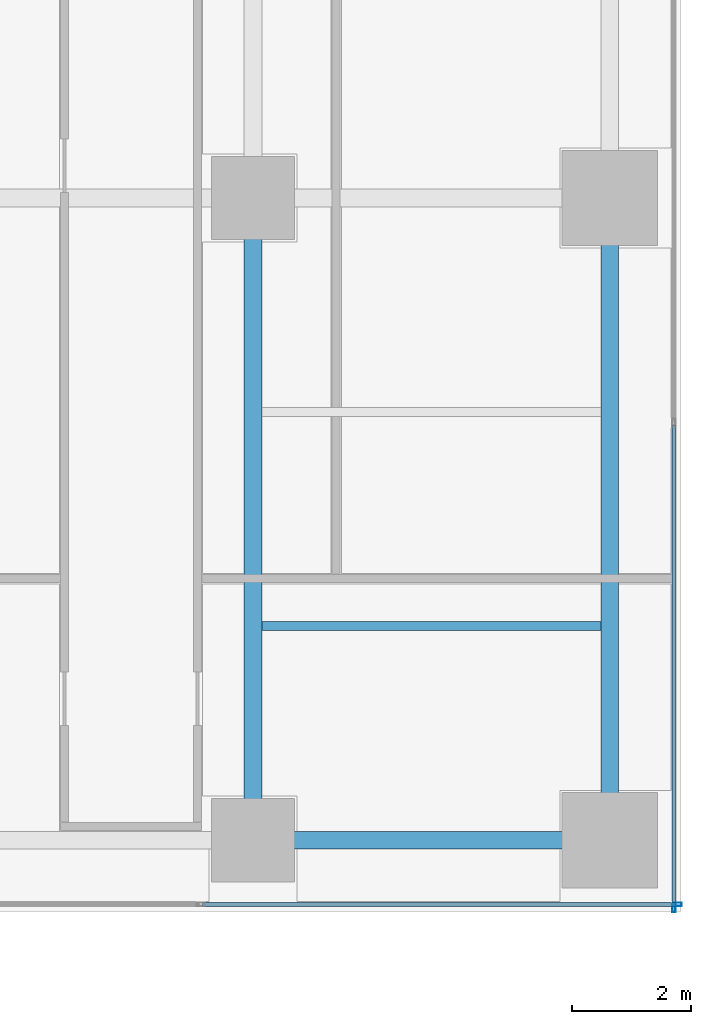
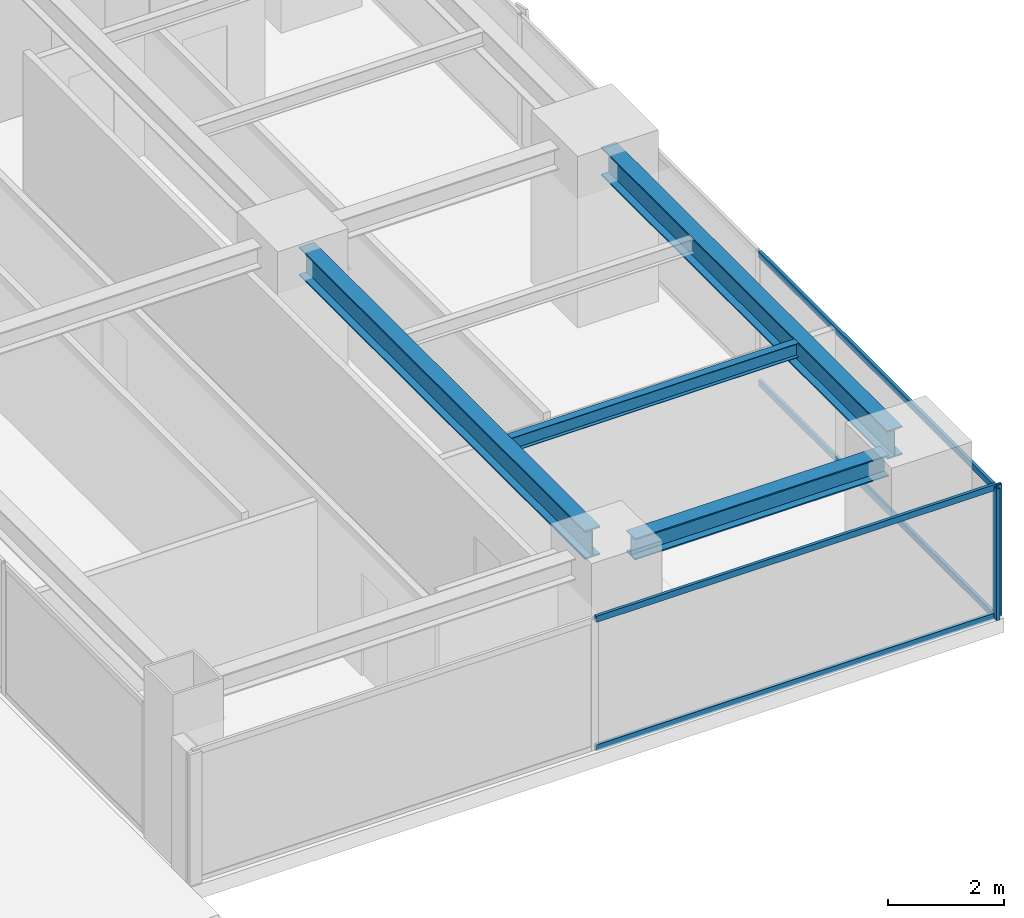
# One storey, part 13 of 30: 6 members, 4 beams, 2 elements without a shape of their own.
"""IFC4 building model written with IfcOpenShell, lengths in metres."""

import ifcopenshell
import ifcopenshell.guid

model = None  # the IFC model being written
_history = None  # IfcOwnerHistory: only IFC2X3 demands one
_inside = {}  # id of a spatial element -> (the spatial element, [elements in it])
_under = {}  # id of a project, library or spatial element -> (it, [spatial elements below it])
_declared = {}  # id of a project -> (the project, [libraries it declares])
_typed = {}  # id of a type object -> (the type object, [elements of that type])
_made_of = {}  # id of a material, layer set ... -> (it, [elements and type objects made of it])


def new_model(schema):
    """Start an empty IFC model of exactly this schema.

    Asked for "IFC4X3", IfcOpenShell would pick the latest addendum, in which some entities
    have other attributes; the version numbers below select the first issue.
    IFC2X3 requires an IfcOwnerHistory on every rooted entity: one is made here for all.
    """
    global model, _history
    if schema == "IFC4X3":
        model = ifcopenshell.file(schema_version=(4, 3, 0, 0))
    else:
        model = ifcopenshell.file(schema=schema)
    _inside.clear()
    _under.clear()
    _declared.clear()
    _typed.clear()
    _made_of.clear()
    _history = None
    if model.schema == "IFC2X3":
        org = make("IfcOrganization", Name="unknown")
        user = make(
            "IfcPersonAndOrganization",
            ThePerson=make("IfcPerson", FamilyName="unknown"),
            TheOrganization=org,
        )
        app = make(
            "IfcApplication",
            ApplicationDeveloper=org,
            Version="unknown",
            ApplicationFullName="unknown",
            ApplicationIdentifier="unknown",
        )
        _history = make(
            "IfcOwnerHistory",
            OwningUser=user,
            OwningApplication=app,
            ChangeAction="ADDED",
            CreationDate=0,
        )
    return model


def make(cls, **values):
    """One entity of the class cls with the attributes given. An attribute that is None is left unset."""
    return model.create_entity(
        cls, **{name: value for name, value in values.items() if value is not None}
    )


def rooted(cls, **values):
    """An entity with a GlobalId (a new one), such as an element, a storey or a relation."""
    return make(cls, GlobalId=ifcopenshell.guid.new(), OwnerHistory=_history, **values)


def si_unit(unit_type, name, prefix=None):
    """IfcSIUnit, for example si_unit("LENGTHUNIT", "METRE", prefix="MILLI")."""
    return make("IfcSIUnit", UnitType=unit_type, Prefix=prefix, Name=name)


def assignment(units):
    """IfcUnitAssignment: the units of a project."""
    return None if units is None else make("IfcUnitAssignment", Units=units)


def point(xyz):
    """IfcCartesianPoint."""
    return None if xyz is None else make("IfcCartesianPoint", Coordinates=xyz)


def direction(xyz):
    """IfcDirection."""
    return None if xyz is None else make("IfcDirection", DirectionRatios=xyz)


def frame(location, z_axis=None, x_axis=None):
    """IfcAxis2Placement3D, a coordinate frame: its origin and axes. An axis left out is left unset."""
    return make(
        "IfcAxis2Placement3D",
        Location=point(location),
        Axis=direction(z_axis),
        RefDirection=direction(x_axis),
    )


def frame_2d(location, x_axis=None):
    """IfcAxis2Placement2D, a coordinate frame in the plane: its origin and x axis."""
    return make(
        "IfcAxis2Placement2D", Location=point(location), RefDirection=direction(x_axis)
    )


def origin():
    """The frame at (0, 0, 0) with its axes left unset."""
    return frame((0.0, 0.0, 0.0))


def origin_2d():
    """The frame at (0, 0) in the plane with its x axis left unset."""
    return frame_2d((0.0, 0.0))


def place(relative_to, where):
    """IfcLocalPlacement: puts the frame where relative to a parent placement (None: the world)."""
    return make(
        "IfcLocalPlacement", PlacementRelTo=relative_to, RelativePlacement=where
    )


def context(
    kind, dimensions, precision=None, world=None, true_north=None, identifier=None
):
    """IfcGeometricRepresentationContext, for example the 3D "Model" context."""
    return make(
        "IfcGeometricRepresentationContext",
        ContextIdentifier=identifier,
        ContextType=kind,
        CoordinateSpaceDimension=dimensions,
        Precision=precision,
        WorldCoordinateSystem=world,
        TrueNorth=true_north,
    )


def subcontext(parent, identifier, kind, view, scale=None):
    """IfcGeometricRepresentationSubContext, for example "Body" below "Model"."""
    return make(
        "IfcGeometricRepresentationSubContext",
        ContextIdentifier=identifier,
        ContextType=kind,
        ParentContext=parent,
        TargetScale=scale,
        TargetView=view,
    )


def project(units=None, contexts=None):
    """IfcProject with its units and contexts."""
    return rooted(
        "IfcProject",
        Name="project",
        RepresentationContexts=contexts,
        UnitsInContext=assignment(units),
    )


def spatial(cls, under=None, at=None, **own):
    """A site, building, storey or space (cls), placed at a placement, below another one or the project."""
    s = rooted(cls, ObjectPlacement=at, **own)
    if under is not None:
        _under.setdefault(under.id(), (under, []))[1].append(s)
    return s


def profile(cls, at=None, kind="AREA", **sizes):
    """A parametric profile (cls). Its sizes go by their IFC names, for example OverallWidth=200.0."""
    return make(cls, ProfileType=kind, Position=at, **sizes)


def hollow_rectangle(**sizes):
    """IfcRectangleHollowProfileDef."""
    return profile("IfcRectangleHollowProfileDef", **sizes)


def i_section(**sizes):
    """IfcIShapeProfileDef."""
    return profile("IfcIShapeProfileDef", **sizes)


def extrude(swept, where, along, depth):
    """IfcExtrudedAreaSolid: the profile swept, set in the frame where, extruded along a direction by depth."""
    return make(
        "IfcExtrudedAreaSolid",
        SweptArea=swept,
        Position=where,
        ExtrudedDirection=direction(along),
        Depth=depth,
    )


def shape(context_of_items, identifier, shape_type, items):
    """IfcShapeRepresentation: the items that make up one representation, for example the "Body"."""
    return make(
        "IfcShapeRepresentation",
        ContextOfItems=context_of_items,
        RepresentationIdentifier=identifier,
        RepresentationType=shape_type,
        Items=items,
    )


def source(mapping_origin, context_of_items, identifier, shape_type, items):
    """IfcRepresentationMap: a shape defined once, which mapped items show again and again."""
    return make(
        "IfcRepresentationMap",
        MappingOrigin=mapping_origin,
        MappedRepresentation=shape(context_of_items, identifier, shape_type, items),
    )


def transform(
    local_origin,
    x_axis=None,
    y_axis=None,
    z_axis=None,
    scale=None,
    scale2=None,
    scale3=None,
    uniform=True,
):
    """IfcCartesianTransformationOperator3D, or its non-uniform kind. x_axis, y_axis, z_axis: its Axis1, 2, 3."""
    if uniform:
        return make(
            "IfcCartesianTransformationOperator3D",
            Axis1=direction(x_axis),
            Axis2=direction(y_axis),
            LocalOrigin=point(local_origin),
            Scale=scale,
            Axis3=direction(z_axis),
        )
    return make(
        "IfcCartesianTransformationOperator3DnonUniform",
        Axis1=direction(x_axis),
        Axis2=direction(y_axis),
        LocalOrigin=point(local_origin),
        Scale=scale,
        Axis3=direction(z_axis),
        Scale2=scale2,
        Scale3=scale3,
    )


def mapped(mapping_source, mapping_target):
    """IfcMappedItem: shows the shape of a source again, moved by a transform."""
    return make(
        "IfcMappedItem", MappingSource=mapping_source, MappingTarget=mapping_target
    )


def material(Name=None, Category=None):
    """IfcMaterial."""
    return make("IfcMaterial", Name=Name, Category=Category)


def layer(
    of_material, thickness, ventilated=None, Name=None, Category=None, Priority=None
):
    """IfcMaterialLayer: one layer of a wall or slab, of a material (None: an air gap)."""
    return make(
        "IfcMaterialLayer",
        Material=of_material,
        LayerThickness=thickness,
        IsVentilated=ventilated,
        Name=Name,
        Category=Category,
        Priority=Priority,
    )


def layer_set(layers, Name=None):
    """IfcMaterialLayerSet."""
    return make("IfcMaterialLayerSet", MaterialLayers=layers, LayerSetName=Name)


def material_profile(
    of_material, cross_section, Name=None, Category=None, Priority=None
):
    """IfcMaterialProfile: a cross section and its material."""
    return make(
        "IfcMaterialProfile",
        Name=Name,
        Material=of_material,
        Profile=cross_section,
        Priority=Priority,
        Category=Category,
    )


def profile_set(profiles, Name=None, composite=None):
    """IfcMaterialProfileSet."""
    return make(
        "IfcMaterialProfileSet",
        Name=Name,
        MaterialProfiles=profiles,
        CompositeProfile=composite,
    )


def made_of(thing, what):
    """Note that an element or type object is made of a material, layer set ...; save() writes the relation."""
    if what is not None:
        _made_of.setdefault(what.id(), (what, []))[1].append(thing)
    return thing


def type_object(cls, material=None, **own):
    """A type object (cls), such as IfcWallType, which elements share."""
    return made_of(rooted(cls, **own), material)


def element(
    cls,
    number,
    at=None,
    inside=None,
    cuts=None,
    type_object=None,
    material=None,
    context=None,
    identifier="Body",
    shape_type=None,
    held_by="IfcProductDefinitionShape",
    body=None,
    shapes=None,
    **own,
):
    """One element of the class cls, such as IfcWall. Its Tag is "e" and its number.

    at: its placement. inside: the storey or other place that contains it. cuts: it is an
    opening in that element (IfcRelVoidsElement). A single representation is given by context,
    identifier, shape_type and body (its items); several are given by shapes. held_by: the class
    of the entity that holds the representations. save() writes the other relations.
    """
    e = rooted(cls, Tag="e%d" % number, ObjectPlacement=at, **own)
    if body is not None:
        shapes = [shape(context, identifier, shape_type, body)]
    if shapes is not None:
        e.Representation = make(held_by, Representations=shapes)
    if inside is not None:
        _inside.setdefault(inside.id(), (inside, []))[1].append(e)
    if cuts is not None:
        rooted(
            "IfcRelVoidsElement", RelatingBuildingElement=cuts, RelatedOpeningElement=e
        )
    if type_object is not None:
        _typed.setdefault(type_object.id(), (type_object, []))[1].append(e)
    return made_of(e, material)


def aggregate(whole, parts):
    """IfcRelAggregates: a whole, such as a stair, and the parts it consists of."""
    return rooted("IfcRelAggregates", RelatingObject=whole, RelatedObjects=parts)


def save(model, path):
    """Write the relations noted so far, then the file.

    IfcRelAggregates (storeys below a building ...), IfcRelContainedInSpatialStructure (elements
    in a storey), IfcRelDefinesByType, IfcRelAssociatesMaterial and IfcRelDeclares: one each for
    every whole, place, type object, material and project.
    """
    for whole, parts in _under.values():
        aggregate(whole, parts)
    for where, things in _inside.values():
        rooted(
            "IfcRelContainedInSpatialStructure",
            RelatedElements=things,
            RelatingStructure=where,
        )
    for kind, things in _typed.values():
        rooted("IfcRelDefinesByType", RelatedObjects=things, RelatingType=kind)
    for what, things in _made_of.values():
        rooted("IfcRelAssociatesMaterial", RelatedObjects=things, RelatingMaterial=what)
    for by, libraries in _declared.values():
        rooted("IfcRelDeclares", RelatingContext=by, RelatedDefinitions=libraries)
    model.write(path)


model = new_model("IFC4")

# Units and contexts
model_context = context("Model", 3, precision=1e-05, world=origin(), true_north=direction((0.0, 1.0)))
body_context = subcontext(model_context, "Body", "Model", "MODEL_VIEW")
ifc_project = project(units=[si_unit("LENGTHUNIT", "METRE"), si_unit("AREAUNIT", "SQUARE_METRE"), si_unit("VOLUMEUNIT", "CUBIC_METRE"), si_unit("PLANEANGLEUNIT", "RADIAN"), si_unit("MASSUNIT", "GRAM", prefix="KILO")], contexts=[model_context])

# Site, building, storey
site_placement = place(None, origin())
site = spatial("IfcSite", under=ifc_project, at=site_placement, CompositionType="ELEMENT")
building_placement = place(site_placement, origin())
building = spatial("IfcBuilding", under=site, at=building_placement, Name="Sumidabori Civic Tower", CompositionType="ELEMENT")
storey_placement = place(building_placement, frame((0.0, 0.0, 196.39990234375)))
storey = spatial("IfcBuildingStorey", under=building, at=storey_placement, Name="L50", CompositionType="ELEMENT", Elevation=196.39990234375)

# Beams
ifc_material_1 = material(Name="Steel SN490", Category="steel")
ifc_material_profile_1 = material_profile(ifc_material_1, i_section(OverallWidth=0.300048828125, OverallDepth=0.60009765625, WebThickness=0.015380859375, FlangeThickness=0.030029296875, at=origin_2d()), Name="HE 600 B")
ifc_profile_set_1 = profile_set([ifc_material_profile_1], Name="Steel SN490")
beam_type_1 = type_object("IfcBeamType", Name="BM-GIRD-600", PredefinedType="BEAM", material=ifc_profile_set_1)
shared_shape_1 = source(origin(), body_context, "Body", "SweptSolid", [
    extrude(i_section(OverallWidth=0.300048828125, OverallDepth=0.60009765625, WebThickness=0.015380859375, FlangeThickness=0.030029296875, at=origin_2d()), origin(), (0.0, 0.0, 1.0), 9.840087890625),
])
for number, where, z_axis, x_axis, name in (
    (1, (16.800048828125, -10.320068359375, 3.080078125), (0.0, 1.0, 0.0), (-1.0, 0.0, 0.0), "Primary Girder L50 GY-19"),
    (2, (22.800048828125, -10.320068359375, 3.080078125), (0.0, 1.0, 0.0), (-1.0, 0.0, 0.0), "Primary Girder L50 GY-22"),
):
    element("IfcBeam", number, at=place(storey_placement, frame(where, z_axis=z_axis, x_axis=x_axis)), inside=storey, type_object=beam_type_1, Name=name, PredefinedType="BEAM", context=body_context, shape_type="MappedRepresentation", body=[
        mapped(shared_shape_1, transform((0.0, 0.0, 0.0), x_axis=(1.0, 0.0, 0.0), y_axis=(0.0, 1.0, 0.0), z_axis=(0.0, 0.0, 1.0), scale=1.0)),
    ])
ifc_material_profile_2 = material_profile(ifc_material_1, i_section(OverallWidth=0.14990234375, OverallDepth=0.300048828125, WebThickness=0.007080078125, FlangeThickness=0.0107421875, at=origin_2d()), Name="IPE 300")
ifc_profile_set_2 = profile_set([ifc_material_profile_2], Name="Steel SN490")
beam_type_2 = type_object("IfcBeamType", Name="BM-JST-300", PredefinedType="JOIST", material=ifc_profile_set_2)
shared_shape_2 = source(origin(), body_context, "Body", "SweptSolid", [
    extrude(i_section(OverallWidth=0.14990234375, OverallDepth=0.300048828125, WebThickness=0.007080078125, FlangeThickness=0.0107421875, at=origin_2d()), origin(), (0.0, 0.0, 1.0), 5.699951171875),
])
beam_1_placement = place(storey_placement, frame((16.949951171875, -7.199951171875, 3.22998046875), z_axis=(1.0, 0.0, 0.0), x_axis=(0.0, 1.0, 0.0)))
element("IfcBeam", 3, at=beam_1_placement, inside=storey, type_object=beam_type_2, Name="Outer Bay Floor Joist L50 JSTO-26", PredefinedType="JOIST", context=body_context, shape_type="MappedRepresentation", body=[
    mapped(shared_shape_2, transform((0.0, 0.0, 0.0), x_axis=(1.0, 0.0, 0.0), y_axis=(0.0, 1.0, 0.0), z_axis=(0.0, 0.0, 1.0), scale=1.0)),
])
ifc_material_profile_3 = material_profile(ifc_material_1, i_section(OverallWidth=0.300048828125, OverallDepth=0.449951171875, WebThickness=0.013916015625, FlangeThickness=0.02587890625, at=origin_2d()), Name="HE 450 B")
ifc_profile_set_3 = profile_set([ifc_material_profile_3], Name="Steel SN490")
beam_type_3 = type_object("IfcBeamType", Name="BM-GIRD-450", PredefinedType="BEAM", material=ifc_profile_set_3)
shared_shape_3 = source(origin(), body_context, "Body", "SweptSolid", [
    extrude(i_section(OverallWidth=0.300048828125, OverallDepth=0.449951171875, WebThickness=0.013916015625, FlangeThickness=0.02587890625, at=origin_2d()), origin(), (0.0, 0.0, 1.0), 5.0400390625),
])
beam_2_placement = place(storey_placement, frame((17.280029296875, -10.800048828125, 3.155029296875), z_axis=(1.0, 0.0, 0.0), x_axis=(0.0, 1.0, 0.0)))
element("IfcBeam", 4, at=beam_2_placement, inside=storey, type_object=beam_type_3, Name="Primary Girder L50 GX-04", PredefinedType="BEAM", context=body_context, shape_type="MappedRepresentation", body=[
    mapped(shared_shape_3, transform((0.0, 0.0, 0.0), x_axis=(1.0, 0.0, 0.0), y_axis=(0.0, 1.0, 0.0), z_axis=(0.0, 0.0, 1.0), scale=1.0)),
])

# Curtain wall, member
ifc_material_2 = material(Name="Anodised Bronze Aluminium AW-6063-T6", Category="aluminium")
ifc_layer = layer(ifc_material_2, 0.179931640625, Name="Anodised Bronze Aluminium AW-6063-T6")
ifc_layer_set = layer_set([ifc_layer], Name="Anodised Bronze Aluminium AW-6063-T6")
curtain_wall_type = type_object("IfcCurtainWallType", Name="CW-SYS-5", PredefinedType="NOTDEFINED", material=ifc_layer_set)
curtain_wall_1_placement = place(storey_placement, origin())
curtain_wall_1 = element("IfcCurtainWall", 5, at=curtain_wall_1_placement, inside=storey, type_object=curtain_wall_type, Name="Curtain Wall CW:L50:R09", PredefinedType="NOTDEFINED")
ifc_material_profile_4 = material_profile(ifc_material_2, hollow_rectangle(XDim=0.06005859375, YDim=0.139892578125, WallThickness=0.0048828125, at=origin_2d()), Name="ALU MULLION 140x60")
ifc_profile_set_4 = profile_set([ifc_material_profile_4], Name="Anodised Bronze Aluminium AW-6063-T6")
member_type_1 = type_object("IfcMemberType", Name="CW-MUL-140", PredefinedType="MULLION", material=ifc_profile_set_4)
shared_shape_4 = source(origin(), body_context, "Body", "SweptSolid", [
    extrude(hollow_rectangle(XDim=0.06005859375, YDim=0.139892578125, WallThickness=0.0048828125, at=origin_2d()), origin(), (0.0, 0.0, 1.0), 2.760009765625),
])
member_1_placement = place(storey_placement, frame((23.93994140625, -11.8798828125, 0.0), z_axis=(0.0, 0.0, 1.0), x_axis=(0.0, 1.0, 0.0)))
member_1 = element("IfcMember", 6, at=member_1_placement, type_object=member_type_1, Name="CW-5 mullion 3", PredefinedType="MULLION", context=body_context, shape_type="MappedRepresentation", body=[
    mapped(shared_shape_4, transform((0.0, 0.0, 0.0), x_axis=(1.0, 0.0, 0.0), y_axis=(0.0, 1.0, 0.0), z_axis=(0.0, 0.0, 1.0), scale=1.0)),
])

curtain_wall_2_placement = place(storey_placement, origin())
curtain_wall_2 = element("IfcCurtainWall", 7, at=curtain_wall_2_placement, inside=storey, type_object=curtain_wall_type, Name="Curtain Wall CW:L50:R10", PredefinedType="NOTDEFINED")
member_2_placement = place(storey_placement, frame((23.8798828125, -11.93994140625, 0.0), z_axis=(0.0, 0.0, 1.0), x_axis=(-1.0, 0.0, 0.0)))
member_2 = element("IfcMember", 8, at=member_2_placement, type_object=member_type_1, Name="CW-5 mullion 1", PredefinedType="MULLION", context=body_context, shape_type="MappedRepresentation", body=[
    mapped(shared_shape_4, transform((0.0, 0.0, 0.0), x_axis=(1.0, 0.0, 0.0), y_axis=(0.0, 1.0, 0.0), z_axis=(0.0, 0.0, 1.0), scale=1.0)),
])

# Member
ifc_material_profile_5 = material_profile(ifc_material_2, hollow_rectangle(XDim=0.06005859375, YDim=0.1298828125, WallThickness=0.0048828125, at=origin_2d()), Name="ALU TRANSOM 130x60")
ifc_profile_set_5 = profile_set([ifc_material_profile_5], Name="Anodised Bronze Aluminium AW-6063-T6")
member_type_2 = type_object("IfcMemberType", Name="CW-TRN-130", PredefinedType="USERDEFINED", material=ifc_profile_set_5)
shared_shape_5 = source(origin(), body_context, "Body", "SweptSolid", [
    extrude(hollow_rectangle(XDim=0.06005859375, YDim=0.1298828125, WallThickness=0.0048828125, at=origin_2d()), origin(), (0.0, 0.0, 1.0), 7.954833984375),
])
member_3_placement = place(storey_placement, frame((15.955078125, -11.8798828125, 0.030029296875), z_axis=(1.0, 0.0, 0.0), x_axis=(0.0, 1.0, 0.0)))
member_3 = element("IfcMember", 9, at=member_3_placement, type_object=member_type_2, Name="CW-5 transom 2.1", ObjectType="TRANSOM", PredefinedType="USERDEFINED", context=body_context, shape_type="MappedRepresentation", body=[
    mapped(shared_shape_5, transform((0.0, 0.0, 0.0), x_axis=(1.0, 0.0, 0.0), y_axis=(0.0, 1.0, 0.0), z_axis=(0.0, 0.0, 1.0), scale=1.0)),
])

member_4_placement = place(storey_placement, frame((15.955078125, -11.8798828125, 2.72998046875), z_axis=(1.0, 0.0, 0.0), x_axis=(0.0, 1.0, 0.0)))
member_4 = element("IfcMember", 10, at=member_4_placement, type_object=member_type_2, Name="CW-5 transom 2.2", ObjectType="TRANSOM", PredefinedType="USERDEFINED", context=body_context, shape_type="MappedRepresentation", body=[
    mapped(shared_shape_5, transform((0.0, 0.0, 0.0), x_axis=(1.0, 0.0, 0.0), y_axis=(0.0, 1.0, 0.0), z_axis=(0.0, 0.0, 1.0), scale=1.0)),
])

aggregate(curtain_wall_1, [member_1, member_3, member_4])

shared_shape_6 = source(origin(), body_context, "Body", "SweptSolid", [
    extrude(hollow_rectangle(XDim=0.06005859375, YDim=0.1298828125, WallThickness=0.0048828125, at=origin_2d()), origin(), (0.0, 0.0, 1.0), 8.094970703125),
])
member_5_placement = place(storey_placement, frame((23.8798828125, -11.909912109375, 0.030029296875), z_axis=(0.0, 1.0, 0.0), x_axis=(-1.0, 0.0, 0.0)))
member_5 = element("IfcMember", 11, at=member_5_placement, type_object=member_type_2, Name="CW-5 transom 1.1", ObjectType="TRANSOM", PredefinedType="USERDEFINED", context=body_context, shape_type="MappedRepresentation", body=[
    mapped(shared_shape_6, transform((0.0, 0.0, 0.0), x_axis=(1.0, 0.0, 0.0), y_axis=(0.0, 1.0, 0.0), z_axis=(0.0, 0.0, 1.0), scale=1.0)),
])

member_6_placement = place(storey_placement, frame((23.8798828125, -11.909912109375, 2.72998046875), z_axis=(0.0, 1.0, 0.0), x_axis=(-1.0, 0.0, 0.0)))
member_6 = element("IfcMember", 12, at=member_6_placement, type_object=member_type_2, Name="CW-5 transom 1.2", ObjectType="TRANSOM", PredefinedType="USERDEFINED", context=body_context, shape_type="MappedRepresentation", body=[
    mapped(shared_shape_6, transform((0.0, 0.0, 0.0), x_axis=(1.0, 0.0, 0.0), y_axis=(0.0, 1.0, 0.0), z_axis=(0.0, 0.0, 1.0), scale=1.0)),
])

aggregate(curtain_wall_2, [member_2, member_5, member_6])

save(model, "model.ifc")
